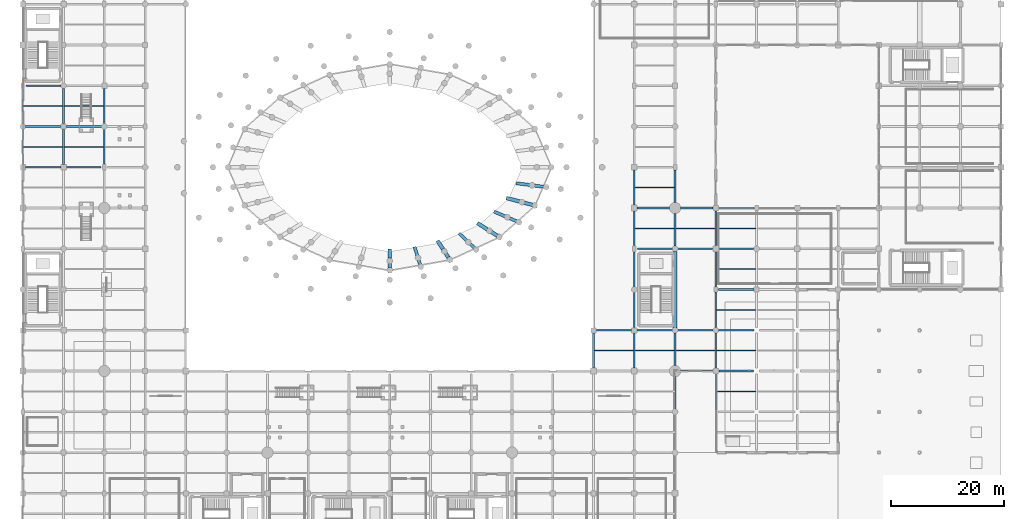
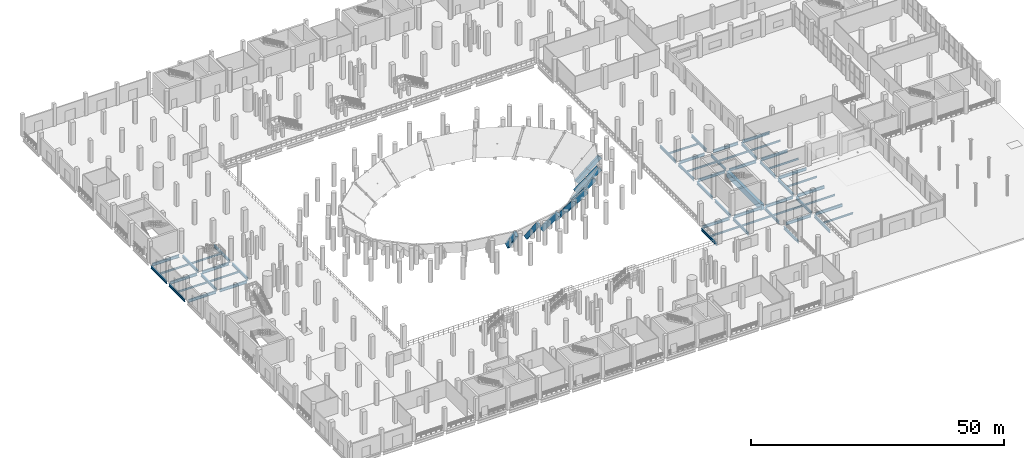
# One storey, part 9 of 58: 71 beams.
"""IFC4 building model written with IfcOpenShell, lengths in metres."""

import ifcopenshell
import ifcopenshell.guid

model = None  # the IFC model being written
_history = None  # IfcOwnerHistory: only IFC2X3 demands one
_inside = {}  # id of a spatial element -> (the spatial element, [elements in it])
_under = {}  # id of a project, library or spatial element -> (it, [spatial elements below it])
_declared = {}  # id of a project -> (the project, [libraries it declares])
_typed = {}  # id of a type object -> (the type object, [elements of that type])
_made_of = {}  # id of a material, layer set ... -> (it, [elements and type objects made of it])


def new_model(schema):
    """Start an empty IFC model of exactly this schema.

    Asked for "IFC4X3", IfcOpenShell would pick the latest addendum, in which some entities
    have other attributes; the version numbers below select the first issue.
    IFC2X3 requires an IfcOwnerHistory on every rooted entity: one is made here for all.
    """
    global model, _history
    if schema == "IFC4X3":
        model = ifcopenshell.file(schema_version=(4, 3, 0, 0))
    else:
        model = ifcopenshell.file(schema=schema)
    _inside.clear()
    _under.clear()
    _declared.clear()
    _typed.clear()
    _made_of.clear()
    _history = None
    if model.schema == "IFC2X3":
        org = make("IfcOrganization", Name="unknown")
        user = make(
            "IfcPersonAndOrganization",
            ThePerson=make("IfcPerson", FamilyName="unknown"),
            TheOrganization=org,
        )
        app = make(
            "IfcApplication",
            ApplicationDeveloper=org,
            Version="unknown",
            ApplicationFullName="unknown",
            ApplicationIdentifier="unknown",
        )
        _history = make(
            "IfcOwnerHistory",
            OwningUser=user,
            OwningApplication=app,
            ChangeAction="ADDED",
            CreationDate=0,
        )
    return model


def make(cls, **values):
    """One entity of the class cls with the attributes given. An attribute that is None is left unset."""
    return model.create_entity(
        cls, **{name: value for name, value in values.items() if value is not None}
    )


def rooted(cls, **values):
    """An entity with a GlobalId (a new one), such as an element, a storey or a relation."""
    return make(cls, GlobalId=ifcopenshell.guid.new(), OwnerHistory=_history, **values)


def si_unit(unit_type, name, prefix=None):
    """IfcSIUnit, for example si_unit("LENGTHUNIT", "METRE", prefix="MILLI")."""
    return make("IfcSIUnit", UnitType=unit_type, Prefix=prefix, Name=name)


def assignment(units):
    """IfcUnitAssignment: the units of a project."""
    return None if units is None else make("IfcUnitAssignment", Units=units)


def point(xyz):
    """IfcCartesianPoint."""
    return None if xyz is None else make("IfcCartesianPoint", Coordinates=xyz)


def direction(xyz):
    """IfcDirection."""
    return None if xyz is None else make("IfcDirection", DirectionRatios=xyz)


def frame(location, z_axis=None, x_axis=None):
    """IfcAxis2Placement3D, a coordinate frame: its origin and axes. An axis left out is left unset."""
    return make(
        "IfcAxis2Placement3D",
        Location=point(location),
        Axis=direction(z_axis),
        RefDirection=direction(x_axis),
    )


def frame_2d(location, x_axis=None):
    """IfcAxis2Placement2D, a coordinate frame in the plane: its origin and x axis."""
    return make(
        "IfcAxis2Placement2D", Location=point(location), RefDirection=direction(x_axis)
    )


def origin():
    """The frame at (0, 0, 0) with its axes left unset."""
    return frame((0.0, 0.0, 0.0))


def origin_2d():
    """The frame at (0, 0) in the plane with its x axis left unset."""
    return frame_2d((0.0, 0.0))


def place(relative_to, where):
    """IfcLocalPlacement: puts the frame where relative to a parent placement (None: the world)."""
    return make(
        "IfcLocalPlacement", PlacementRelTo=relative_to, RelativePlacement=where
    )


def context(
    kind, dimensions, precision=None, world=None, true_north=None, identifier=None
):
    """IfcGeometricRepresentationContext, for example the 3D "Model" context."""
    return make(
        "IfcGeometricRepresentationContext",
        ContextIdentifier=identifier,
        ContextType=kind,
        CoordinateSpaceDimension=dimensions,
        Precision=precision,
        WorldCoordinateSystem=world,
        TrueNorth=true_north,
    )


def subcontext(parent, identifier, kind, view, scale=None):
    """IfcGeometricRepresentationSubContext, for example "Body" below "Model"."""
    return make(
        "IfcGeometricRepresentationSubContext",
        ContextIdentifier=identifier,
        ContextType=kind,
        ParentContext=parent,
        TargetScale=scale,
        TargetView=view,
    )


def project(units=None, contexts=None):
    """IfcProject with its units and contexts."""
    return rooted(
        "IfcProject",
        Name="project",
        RepresentationContexts=contexts,
        UnitsInContext=assignment(units),
    )


def spatial(cls, under=None, at=None, **own):
    """A site, building, storey or space (cls), placed at a placement, below another one or the project."""
    s = rooted(cls, ObjectPlacement=at, **own)
    if under is not None:
        _under.setdefault(under.id(), (under, []))[1].append(s)
    return s


def profile(cls, at=None, kind="AREA", **sizes):
    """A parametric profile (cls). Its sizes go by their IFC names, for example OverallWidth=200.0."""
    return make(cls, ProfileType=kind, Position=at, **sizes)


def rectangle(**sizes):
    """IfcRectangleProfileDef."""
    return profile("IfcRectangleProfileDef", **sizes)


def i_section(**sizes):
    """IfcIShapeProfileDef."""
    return profile("IfcIShapeProfileDef", **sizes)


def extrude(swept, where, along, depth):
    """IfcExtrudedAreaSolid: the profile swept, set in the frame where, extruded along a direction by depth."""
    return make(
        "IfcExtrudedAreaSolid",
        SweptArea=swept,
        Position=where,
        ExtrudedDirection=direction(along),
        Depth=depth,
    )


def shape(context_of_items, identifier, shape_type, items):
    """IfcShapeRepresentation: the items that make up one representation, for example the "Body"."""
    return make(
        "IfcShapeRepresentation",
        ContextOfItems=context_of_items,
        RepresentationIdentifier=identifier,
        RepresentationType=shape_type,
        Items=items,
    )


def material(Name=None, Category=None):
    """IfcMaterial."""
    return make("IfcMaterial", Name=Name, Category=Category)


def material_profile(
    of_material, cross_section, Name=None, Category=None, Priority=None
):
    """IfcMaterialProfile: a cross section and its material."""
    return make(
        "IfcMaterialProfile",
        Name=Name,
        Material=of_material,
        Profile=cross_section,
        Priority=Priority,
        Category=Category,
    )


def profile_set(profiles, Name=None, composite=None):
    """IfcMaterialProfileSet."""
    return make(
        "IfcMaterialProfileSet",
        Name=Name,
        MaterialProfiles=profiles,
        CompositeProfile=composite,
    )


def made_of(thing, what):
    """Note that an element or type object is made of a material, layer set ...; save() writes the relation."""
    if what is not None:
        _made_of.setdefault(what.id(), (what, []))[1].append(thing)
    return thing


def type_object(cls, material=None, **own):
    """A type object (cls), such as IfcWallType, which elements share."""
    return made_of(rooted(cls, **own), material)


def element(
    cls,
    number,
    at=None,
    inside=None,
    cuts=None,
    type_object=None,
    material=None,
    context=None,
    identifier="Body",
    shape_type=None,
    held_by="IfcProductDefinitionShape",
    body=None,
    shapes=None,
    **own,
):
    """One element of the class cls, such as IfcWall. Its Tag is "e" and its number.

    at: its placement. inside: the storey or other place that contains it. cuts: it is an
    opening in that element (IfcRelVoidsElement). A single representation is given by context,
    identifier, shape_type and body (its items); several are given by shapes. held_by: the class
    of the entity that holds the representations. save() writes the other relations.
    """
    e = rooted(cls, Tag="e%d" % number, ObjectPlacement=at, **own)
    if body is not None:
        shapes = [shape(context, identifier, shape_type, body)]
    if shapes is not None:
        e.Representation = make(held_by, Representations=shapes)
    if inside is not None:
        _inside.setdefault(inside.id(), (inside, []))[1].append(e)
    if cuts is not None:
        rooted(
            "IfcRelVoidsElement", RelatingBuildingElement=cuts, RelatedOpeningElement=e
        )
    if type_object is not None:
        _typed.setdefault(type_object.id(), (type_object, []))[1].append(e)
    return made_of(e, material)


def aggregate(whole, parts):
    """IfcRelAggregates: a whole, such as a stair, and the parts it consists of."""
    return rooted("IfcRelAggregates", RelatingObject=whole, RelatedObjects=parts)


def save(model, path):
    """Write the relations noted so far, then the file.

    IfcRelAggregates (storeys below a building ...), IfcRelContainedInSpatialStructure (elements
    in a storey), IfcRelDefinesByType, IfcRelAssociatesMaterial and IfcRelDeclares: one each for
    every whole, place, type object, material and project.
    """
    for whole, parts in _under.values():
        aggregate(whole, parts)
    for where, things in _inside.values():
        rooted(
            "IfcRelContainedInSpatialStructure",
            RelatedElements=things,
            RelatingStructure=where,
        )
    for kind, things in _typed.values():
        rooted("IfcRelDefinesByType", RelatedObjects=things, RelatingType=kind)
    for what, things in _made_of.values():
        rooted("IfcRelAssociatesMaterial", RelatedObjects=things, RelatingMaterial=what)
    for by, libraries in _declared.values():
        rooted("IfcRelDeclares", RelatingContext=by, RelatedDefinitions=libraries)
    model.write(path)


model = new_model("IFC4")

# Units and contexts
model_context = context("Model", 3, precision=1e-05, world=origin(), true_north=direction((0.0, 1.0)))
body_context = subcontext(model_context, "Body", "Model", "MODEL_VIEW")
ifc_project = project(units=[si_unit("LENGTHUNIT", "METRE"), si_unit("AREAUNIT", "SQUARE_METRE"), si_unit("VOLUMEUNIT", "CUBIC_METRE"), si_unit("PLANEANGLEUNIT", "RADIAN"), si_unit("MASSUNIT", "GRAM", prefix="KILO")], contexts=[model_context])

# Site, building, storey
site_placement = place(None, origin())
site = spatial("IfcSite", under=ifc_project, at=site_placement, CompositionType="ELEMENT")
building_placement = place(site_placement, origin())
building = spatial("IfcBuilding", under=site, at=building_placement, Name="Qandorah Velis Arena", CompositionType="ELEMENT")
storey_placement = place(building_placement, origin())
storey = spatial("IfcBuildingStorey", under=building, at=storey_placement, Name="L00", CompositionType="ELEMENT", Elevation=0.0)

# Beams
ifc_material_1 = material(Name="Steel S355", Category="steel")
ifc_material_profile_1 = material_profile(ifc_material_1, i_section(OverallWidth=0.300048828125, OverallDepth=0.64990234375, WebThickness=0.01611328125, FlangeThickness=0.031005859375, FilletRadius=0.027099609375, at=origin_2d()), Name="HEB 650")
ifc_profile_set_1 = profile_set([ifc_material_profile_1], Name="Steel S355")
beam_type_1 = type_object("IfcBeamType", Name="STR-BM-HEB650", PredefinedType="BEAM", material=ifc_profile_set_1)
beam_1_placement = place(storey_placement, frame((0.0, 65.300048828125, -0.7451171875), z_axis=(0.0, 1.0, 0.0), x_axis=(-1.0, 0.0, 0.0)))
element("IfcBeam", 1, at=beam_1_placement, inside=storey, type_object=beam_type_1, Name="Primary floor girder L00 Y-277", PredefinedType="BEAM", context=body_context, shape_type="SweptSolid", body=[
    extrude(i_section(OverallWidth=0.300048828125, OverallDepth=0.64990234375, WebThickness=0.01611328125, FlangeThickness=0.031005859375, FilletRadius=0.027099609375, at=origin_2d()), origin(), (0.0, 0.0, 1.0), 6.25),
])
for number, where, z_axis, x_axis, name in (
    (2, (0.0, 72.449951171875, -0.7451171875), (0.0, 1.0, 0.0), (-1.0, 0.0, 0.0), "Primary floor girder L00 Y-278"),
    (3, (7.199951171875, 65.25, -0.7451171875), (0.0, 1.0, 0.0), (-1.0, 0.0, 0.0), "Primary floor girder L00 Y-295"),
):
    element("IfcBeam", number, at=place(storey_placement, frame(where, z_axis=z_axis, x_axis=x_axis)), inside=storey, type_object=beam_type_1, Name=name, PredefinedType="BEAM", context=body_context, shape_type="SweptSolid", body=[
        extrude(i_section(OverallWidth=0.300048828125, OverallDepth=0.64990234375, WebThickness=0.01611328125, FlangeThickness=0.031005859375, FilletRadius=0.027099609375, at=origin_2d()), origin(), (0.0, 0.0, 1.0), 6.199951171875),
    ])
beam_2_placement = place(storey_placement, frame((7.199951171875, 72.550048828125, -0.7451171875), z_axis=(0.0, 1.0, 0.0), x_axis=(-1.0, 0.0, 0.0)))
element("IfcBeam", 4, at=beam_2_placement, inside=storey, type_object=beam_type_1, Name="Primary floor girder L00 Y-296", PredefinedType="BEAM", context=body_context, shape_type="SweptSolid", body=[
    extrude(i_section(OverallWidth=0.300048828125, OverallDepth=0.64990234375, WebThickness=0.01611328125, FlangeThickness=0.031005859375, FilletRadius=0.027099609375, at=origin_2d()), origin(), (0.0, 0.0, 1.0), 6.14990234375),
])
beam_3_placement = place(storey_placement, frame((14.39990234375, 65.35009765625, -0.7451171875), z_axis=(0.0, 1.0, 0.0), x_axis=(-1.0, 0.0, 0.0)))
element("IfcBeam", 5, at=beam_3_placement, inside=storey, type_object=beam_type_1, Name="Primary floor girder L00 Y-313", PredefinedType="BEAM", context=body_context, shape_type="SweptSolid", body=[
    extrude(i_section(OverallWidth=0.300048828125, OverallDepth=0.64990234375, WebThickness=0.01611328125, FlangeThickness=0.031005859375, FilletRadius=0.027099609375, at=origin_2d()), origin(), (0.0, 0.0, 1.0), 6.199951171875),
])
beam_4_placement = place(storey_placement, frame((14.39990234375, 72.449951171875, -0.7451171875), z_axis=(0.0, 1.0, 0.0), x_axis=(-1.0, 0.0, 0.0)))
element("IfcBeam", 6, at=beam_4_placement, inside=storey, type_object=beam_type_1, Name="Primary floor girder L00 Y-314", PredefinedType="BEAM", context=body_context, shape_type="SweptSolid", body=[
    extrude(i_section(OverallWidth=0.300048828125, OverallDepth=0.64990234375, WebThickness=0.01611328125, FlangeThickness=0.031005859375, FilletRadius=0.027099609375, at=origin_2d()), origin(), (0.0, 0.0, 1.0), 6.300048828125),
])
for number, where, z_axis, x_axis, name in (
    (7, (100.800048828125, 29.35009765625, -0.7451171875), (0.0, 1.0, 0.0), (-1.0, 0.0, 0.0), "Primary floor girder L00 Y-420"),
    (8, (108.0, 29.35009765625, -0.7451171875), (0.0, 1.0, 0.0), (-1.0, 0.0, 0.0), "Primary floor girder L00 Y-429"),
):
    element("IfcBeam", number, at=place(storey_placement, frame(where, z_axis=z_axis, x_axis=x_axis)), inside=storey, type_object=beam_type_1, Name=name, PredefinedType="BEAM", context=body_context, shape_type="SweptSolid", body=[
        extrude(i_section(OverallWidth=0.300048828125, OverallDepth=0.64990234375, WebThickness=0.01611328125, FlangeThickness=0.031005859375, FilletRadius=0.027099609375, at=origin_2d()), origin(), (0.0, 0.0, 1.0), 6.14990234375),
    ])
beam_5_placement = place(storey_placement, frame((108.0, 36.5, -0.7451171875), z_axis=(0.0, 1.0, 0.0), x_axis=(-1.0, 0.0, 0.0)))
element("IfcBeam", 9, at=beam_5_placement, inside=storey, type_object=beam_type_1, Name="Primary floor girder L00 Y-430", PredefinedType="BEAM", context=body_context, shape_type="SweptSolid", body=[
    extrude(i_section(OverallWidth=0.300048828125, OverallDepth=0.64990234375, WebThickness=0.01611328125, FlangeThickness=0.031005859375, FilletRadius=0.027099609375, at=origin_2d()), origin(), (0.0, 0.0, 1.0), 6.25),
])
beam_6_placement = place(storey_placement, frame((108.0, 43.64990234375, -0.7451171875), z_axis=(0.0, 1.0, 0.0), x_axis=(-1.0, 0.0, 0.0)))
element("IfcBeam", 10, at=beam_6_placement, inside=storey, type_object=beam_type_1, Name="Primary floor girder L00 Y-431", PredefinedType="BEAM", context=body_context, shape_type="SweptSolid", body=[
    extrude(i_section(OverallWidth=0.300048828125, OverallDepth=0.64990234375, WebThickness=0.01611328125, FlangeThickness=0.031005859375, FilletRadius=0.027099609375, at=origin_2d()), origin(), (0.0, 0.0, 1.0), 6.2001953125),
])
beam_7_placement = place(storey_placement, frame((108.0, 50.949951171875, -0.7451171875), z_axis=(0.0, 1.0, 0.0), x_axis=(-1.0, 0.0, 0.0)))
element("IfcBeam", 11, at=beam_7_placement, inside=storey, type_object=beam_type_1, Name="Primary floor girder L00 Y-432", PredefinedType="BEAM", context=body_context, shape_type="SweptSolid", body=[
    extrude(i_section(OverallWidth=0.300048828125, OverallDepth=0.64990234375, WebThickness=0.01611328125, FlangeThickness=0.031005859375, FilletRadius=0.027099609375, at=origin_2d()), origin(), (0.0, 0.0, 1.0), 6.150146484375),
])
beam_8_placement = place(storey_placement, frame((108.0, 58.10009765625, -0.7451171875), z_axis=(0.0, 1.0, 0.0), x_axis=(-1.0, 0.0, 0.0)))
element("IfcBeam", 12, at=beam_8_placement, inside=storey, type_object=beam_type_1, Name="Primary floor girder L00 Y-433", PredefinedType="BEAM", context=body_context, shape_type="SweptSolid", body=[
    extrude(i_section(OverallWidth=0.300048828125, OverallDepth=0.64990234375, WebThickness=0.01611328125, FlangeThickness=0.031005859375, FilletRadius=0.027099609375, at=origin_2d()), origin(), (0.0, 0.0, 1.0), 6.25),
])
for number, where, z_axis, x_axis, name in (
    (13, (115.199951171875, 22.050048828125, -0.7451171875), (0.0, 1.0, 0.0), (-1.0, 0.0, 0.0), "Primary floor girder L00 Y-446"),
    (14, (115.199951171875, 29.75, -0.7451171875), (0.0, 1.0, 0.0), (-1.0, 0.0, 0.0), "Primary floor girder L00 Y-447"),
):
    element("IfcBeam", number, at=place(storey_placement, frame(where, z_axis=z_axis, x_axis=x_axis)), inside=storey, type_object=beam_type_1, Name=name, PredefinedType="BEAM", context=body_context, shape_type="SweptSolid", body=[
        extrude(i_section(OverallWidth=0.300048828125, OverallDepth=0.64990234375, WebThickness=0.01611328125, FlangeThickness=0.031005859375, FilletRadius=0.027099609375, at=origin_2d()), origin(), (0.0, 0.0, 1.0), 5.800048828125),
    ])
beam_9_placement = place(storey_placement, frame((115.199951171875, 50.85009765625, -0.7451171875), z_axis=(0.0, 1.0, 0.0), x_axis=(-1.0, 0.0, 0.0)))
element("IfcBeam", 15, at=beam_9_placement, inside=storey, type_object=beam_type_1, Name="Primary floor girder L00 Y-449", PredefinedType="BEAM", context=body_context, shape_type="SweptSolid", body=[
    extrude(i_section(OverallWidth=0.300048828125, OverallDepth=0.64990234375, WebThickness=0.01611328125, FlangeThickness=0.031005859375, FilletRadius=0.027099609375, at=origin_2d()), origin(), (0.0, 0.0, 1.0), 5.7998046875),
])
beam_10_placement = place(storey_placement, frame((115.199951171875, 58.550048828125, -0.7451171875), z_axis=(0.0, 1.0, 0.0), x_axis=(-1.0, 0.0, 0.0)))
element("IfcBeam", 16, at=beam_10_placement, inside=storey, type_object=beam_type_1, Name="Primary floor girder L00 Y-450", PredefinedType="BEAM", context=body_context, shape_type="SweptSolid", body=[
    extrude(i_section(OverallWidth=0.300048828125, OverallDepth=0.64990234375, WebThickness=0.01611328125, FlangeThickness=0.031005859375, FilletRadius=0.027099609375, at=origin_2d()), origin(), (0.0, 0.0, 1.0), 5.800048828125),
])
beam_11_placement = place(storey_placement, frame((122.39990234375, 22.050048828125, -0.7451171875), z_axis=(0.0, 1.0, 0.0), x_axis=(-1.0, 0.0, 0.0)))
element("IfcBeam", 17, at=beam_11_placement, inside=storey, type_object=beam_type_1, Name="Primary floor girder L00 Y-461", PredefinedType="BEAM", context=body_context, shape_type="SweptSolid", body=[
    extrude(i_section(OverallWidth=0.300048828125, OverallDepth=0.64990234375, WebThickness=0.01611328125, FlangeThickness=0.031005859375, FilletRadius=0.027099609375, at=origin_2d()), origin(), (0.0, 0.0, 1.0), 6.199951171875),
])
beam_12_placement = place(storey_placement, frame((122.39990234375, 29.35009765625, -0.7451171875), z_axis=(0.0, 1.0, 0.0), x_axis=(-1.0, 0.0, 0.0)))
element("IfcBeam", 18, at=beam_12_placement, inside=storey, type_object=beam_type_1, Name="Primary floor girder L00 Y-462", PredefinedType="BEAM", context=body_context, shape_type="SweptSolid", body=[
    extrude(i_section(OverallWidth=0.300048828125, OverallDepth=0.64990234375, WebThickness=0.01611328125, FlangeThickness=0.031005859375, FilletRadius=0.027099609375, at=origin_2d()), origin(), (0.0, 0.0, 1.0), 6.14990234375),
])
beam_13_placement = place(storey_placement, frame((122.39990234375, 36.5, -0.7451171875), z_axis=(0.0, 1.0, 0.0), x_axis=(-1.0, 0.0, 0.0)))
element("IfcBeam", 19, at=beam_13_placement, inside=storey, type_object=beam_type_1, Name="Primary floor girder L00 Y-463", PredefinedType="BEAM", context=body_context, shape_type="SweptSolid", body=[
    extrude(i_section(OverallWidth=0.300048828125, OverallDepth=0.64990234375, WebThickness=0.01611328125, FlangeThickness=0.031005859375, FilletRadius=0.027099609375, at=origin_2d()), origin(), (0.0, 0.0, 1.0), 6.25),
])
beam_14_placement = place(storey_placement, frame((122.39990234375, 43.64990234375, -0.7451171875), z_axis=(0.0, 1.0, 0.0), x_axis=(-1.0, 0.0, 0.0)))
element("IfcBeam", 20, at=beam_14_placement, inside=storey, type_object=beam_type_1, Name="Primary floor girder L00 Y-464", PredefinedType="BEAM", context=body_context, shape_type="SweptSolid", body=[
    extrude(i_section(OverallWidth=0.300048828125, OverallDepth=0.64990234375, WebThickness=0.01611328125, FlangeThickness=0.031005859375, FilletRadius=0.027099609375, at=origin_2d()), origin(), (0.0, 0.0, 1.0), 6.2001953125),
])
beam_15_placement = place(storey_placement, frame((122.39990234375, 50.949951171875, -0.7451171875), z_axis=(0.0, 1.0, 0.0), x_axis=(-1.0, 0.0, 0.0)))
element("IfcBeam", 21, at=beam_15_placement, inside=storey, type_object=beam_type_1, Name="Primary floor girder L00 Y-465", PredefinedType="BEAM", context=body_context, shape_type="SweptSolid", body=[
    extrude(i_section(OverallWidth=0.300048828125, OverallDepth=0.64990234375, WebThickness=0.01611328125, FlangeThickness=0.031005859375, FilletRadius=0.027099609375, at=origin_2d()), origin(), (0.0, 0.0, 1.0), 6.150146484375),
])
ifc_material_profile_2 = material_profile(ifc_material_1, i_section(OverallWidth=0.300048828125, OverallDepth=0.699951171875, WebThickness=0.01708984375, FlangeThickness=0.031982421875, FilletRadius=0.027099609375, at=origin_2d()), Name="HEB 700")
ifc_profile_set_2 = profile_set([ifc_material_profile_2], Name="Steel S355")
beam_type_2 = type_object("IfcBeamType", Name="STR-BM-HEB700", PredefinedType="BEAM", material=ifc_profile_set_2)
beam_16_placement = place(storey_placement, frame((116.14990234375, 28.800048828125, -0.77001953125), z_axis=(1.0, 0.0, 0.0), x_axis=(0.0, 1.0, 0.0)))
element("IfcBeam", 22, at=beam_16_placement, inside=storey, type_object=beam_type_2, Name="Primary floor girder L00 X-087", PredefinedType="BEAM", context=body_context, shape_type="SweptSolid", body=[
    extrude(i_section(OverallWidth=0.300048828125, OverallDepth=0.699951171875, WebThickness=0.01708984375, FlangeThickness=0.031982421875, FilletRadius=0.027099609375, at=origin_2d()), origin(), (0.0, 0.0, 1.0), 5.7001953125),
])
beam_17_placement = place(storey_placement, frame((122.949951171875, 28.800048828125, -0.77001953125), z_axis=(1.0, 0.0, 0.0), x_axis=(0.0, 1.0, 0.0)))
element("IfcBeam", 23, at=beam_17_placement, inside=storey, type_object=beam_type_2, Name="Primary floor girder L00 X-088", PredefinedType="BEAM", context=body_context, shape_type="SweptSolid", body=[
    extrude(i_section(OverallWidth=0.300048828125, OverallDepth=0.699951171875, WebThickness=0.01708984375, FlangeThickness=0.031982421875, FilletRadius=0.027099609375, at=origin_2d()), origin(), (0.0, 0.0, 1.0), 6.10009765625),
])
beam_18_placement = place(storey_placement, frame((101.300048828125, 36.0, -0.77001953125), z_axis=(1.0, 0.0, 0.0), x_axis=(0.0, 1.0, 0.0)))
element("IfcBeam", 24, at=beam_18_placement, inside=storey, type_object=beam_type_2, Name="Primary floor girder L00 X-095", PredefinedType="BEAM", context=body_context, shape_type="SweptSolid", body=[
    extrude(i_section(OverallWidth=0.300048828125, OverallDepth=0.699951171875, WebThickness=0.01708984375, FlangeThickness=0.031982421875, FilletRadius=0.027099609375, at=origin_2d()), origin(), (0.0, 0.0, 1.0), 6.199951171875),
])
for number, where, z_axis, x_axis, name in (
    (25, (108.5, 36.0, -0.77001953125), (1.0, 0.0, 0.0), (0.0, 1.0, 0.0), "Primary floor girder L00 X-096"),
    (26, (115.64990234375, 36.0, -0.77001953125), (1.0, 0.0, 0.0), (0.0, 1.0, 0.0), "Primary floor girder L00 X-097"),
):
    element("IfcBeam", number, at=place(storey_placement, frame(where, z_axis=z_axis, x_axis=x_axis)), inside=storey, type_object=beam_type_2, Name=name, PredefinedType="BEAM", context=body_context, shape_type="SweptSolid", body=[
        extrude(i_section(OverallWidth=0.300048828125, OverallDepth=0.699951171875, WebThickness=0.01708984375, FlangeThickness=0.031982421875, FilletRadius=0.027099609375, at=origin_2d()), origin(), (0.0, 0.0, 1.0), 6.25),
    ])
beam_19_placement = place(storey_placement, frame((122.89990234375, 36.0, -0.77001953125), z_axis=(1.0, 0.0, 0.0), x_axis=(0.0, 1.0, 0.0)))
element("IfcBeam", 27, at=beam_19_placement, inside=storey, type_object=beam_type_2, Name="Primary floor girder L00 X-098", PredefinedType="BEAM", context=body_context, shape_type="SweptSolid", body=[
    extrude(i_section(OverallWidth=0.300048828125, OverallDepth=0.699951171875, WebThickness=0.01708984375, FlangeThickness=0.031982421875, FilletRadius=0.027099609375, at=origin_2d()), origin(), (0.0, 0.0, 1.0), 6.2001953125),
])
beam_20_placement = place(storey_placement, frame((122.85009765625, 43.199951171875, -0.77001953125), z_axis=(1.0, 0.0, 0.0), x_axis=(0.0, 1.0, 0.0)))
element("IfcBeam", 28, at=beam_20_placement, inside=storey, type_object=beam_type_2, Name="Primary floor girder L00 X-103", PredefinedType="BEAM", context=body_context, shape_type="SweptSolid", body=[
    extrude(i_section(OverallWidth=0.300048828125, OverallDepth=0.699951171875, WebThickness=0.01708984375, FlangeThickness=0.031982421875, FilletRadius=0.027099609375, at=origin_2d()), origin(), (0.0, 0.0, 1.0), 6.2998046875),
])
beam_21_placement = place(storey_placement, frame((108.550048828125, 50.39990234375, -0.77001953125), z_axis=(1.0, 0.0, 0.0), x_axis=(0.0, 1.0, 0.0)))
element("IfcBeam", 29, at=beam_21_placement, inside=storey, type_object=beam_type_2, Name="Primary floor girder L00 X-113", PredefinedType="BEAM", context=body_context, shape_type="SweptSolid", body=[
    extrude(i_section(OverallWidth=0.300048828125, OverallDepth=0.699951171875, WebThickness=0.01708984375, FlangeThickness=0.031982421875, FilletRadius=0.027099609375, at=origin_2d()), origin(), (0.0, 0.0, 1.0), 6.199951171875),
])
beam_22_placement = place(storey_placement, frame((115.64990234375, 50.39990234375, -0.77001953125), z_axis=(1.0, 0.0, 0.0), x_axis=(0.0, 1.0, 0.0)))
element("IfcBeam", 30, at=beam_22_placement, inside=storey, type_object=beam_type_2, Name="Primary floor girder L00 X-114", PredefinedType="BEAM", context=body_context, shape_type="SweptSolid", body=[
    extrude(i_section(OverallWidth=0.300048828125, OverallDepth=0.699951171875, WebThickness=0.01708984375, FlangeThickness=0.031982421875, FilletRadius=0.027099609375, at=origin_2d()), origin(), (0.0, 0.0, 1.0), 6.2001953125),
])
beam_23_placement = place(storey_placement, frame((122.949951171875, 50.39990234375, -0.77001953125), z_axis=(1.0, 0.0, 0.0), x_axis=(0.0, 1.0, 0.0)))
element("IfcBeam", 31, at=beam_23_placement, inside=storey, type_object=beam_type_2, Name="Primary floor girder L00 X-115", PredefinedType="BEAM", context=body_context, shape_type="SweptSolid", body=[
    extrude(i_section(OverallWidth=0.300048828125, OverallDepth=0.699951171875, WebThickness=0.01708984375, FlangeThickness=0.031982421875, FilletRadius=0.027099609375, at=origin_2d()), origin(), (0.0, 0.0, 1.0), 6.10009765625),
])
for number, where, z_axis, x_axis, name in (
    (32, (108.5, 57.60009765625, -0.77001953125), (1.0, 0.0, 0.0), (0.0, 1.0, 0.0), "Primary floor girder L00 X-122"),
    (33, (116.14990234375, 57.60009765625, -0.77001953125), (1.0, 0.0, 0.0), (0.0, 1.0, 0.0), "Primary floor girder L00 X-123"),
):
    element("IfcBeam", number, at=place(storey_placement, frame(where, z_axis=z_axis, x_axis=x_axis)), inside=storey, type_object=beam_type_2, Name=name, PredefinedType="BEAM", context=body_context, shape_type="SweptSolid", body=[
        extrude(i_section(OverallWidth=0.300048828125, OverallDepth=0.699951171875, WebThickness=0.01708984375, FlangeThickness=0.031982421875, FilletRadius=0.027099609375, at=origin_2d()), origin(), (0.0, 0.0, 1.0), 5.75),
    ])
beam_24_placement = place(storey_placement, frame((122.89990234375, 57.60009765625, -0.77001953125), z_axis=(1.0, 0.0, 0.0), x_axis=(0.0, 1.0, 0.0)))
element("IfcBeam", 34, at=beam_24_placement, inside=storey, type_object=beam_type_2, Name="Primary floor girder L00 X-124", PredefinedType="BEAM", context=body_context, shape_type="SweptSolid", body=[
    extrude(i_section(OverallWidth=0.300048828125, OverallDepth=0.699951171875, WebThickness=0.01708984375, FlangeThickness=0.031982421875, FilletRadius=0.027099609375, at=origin_2d()), origin(), (0.0, 0.0, 1.0), 6.2001953125),
])
beam_25_placement = place(storey_placement, frame((0.5, 64.800048828125, -0.77001953125), z_axis=(1.0, 0.0, 0.0), x_axis=(0.0, 1.0, 0.0)))
element("IfcBeam", 35, at=beam_25_placement, inside=storey, type_object=beam_type_2, Name="Primary floor girder L00 X-131", PredefinedType="BEAM", context=body_context, shape_type="SweptSolid", body=[
    extrude(i_section(OverallWidth=0.300048828125, OverallDepth=0.699951171875, WebThickness=0.01708984375, FlangeThickness=0.031982421875, FilletRadius=0.027099609375, at=origin_2d()), origin(), (0.0, 0.0, 1.0), 6.25),
])
beam_26_placement = place(storey_placement, frame((7.64990234375, 64.800048828125, -0.77001953125), z_axis=(1.0, 0.0, 0.0), x_axis=(0.0, 1.0, 0.0)))
element("IfcBeam", 36, at=beam_26_placement, inside=storey, type_object=beam_type_2, Name="Primary floor girder L00 X-132", PredefinedType="BEAM", context=body_context, shape_type="SweptSolid", body=[
    extrude(i_section(OverallWidth=0.300048828125, OverallDepth=0.699951171875, WebThickness=0.01708984375, FlangeThickness=0.031982421875, FilletRadius=0.027099609375, at=origin_2d()), origin(), (0.0, 0.0, 1.0), 6.2001953125),
])
for number, where, z_axis, x_axis, name in (
    (37, (0.449951171875, 72.0, -0.77001953125), (1.0, 0.0, 0.0), (0.0, 1.0, 0.0), "Primary floor girder L00 X-138"),
    (38, (7.75, 72.0, -0.77001953125), (1.0, 0.0, 0.0), (0.0, 1.0, 0.0), "Primary floor girder L00 X-139"),
):
    element("IfcBeam", number, at=place(storey_placement, frame(where, z_axis=z_axis, x_axis=x_axis)), inside=storey, type_object=beam_type_2, Name=name, PredefinedType="BEAM", context=body_context, shape_type="SweptSolid", body=[
        extrude(i_section(OverallWidth=0.300048828125, OverallDepth=0.699951171875, WebThickness=0.01708984375, FlangeThickness=0.031982421875, FilletRadius=0.027099609375, at=origin_2d()), origin(), (0.0, 0.0, 1.0), 6.199951171875),
    ])
beam_27_placement = place(storey_placement, frame((0.550048828125, 79.199951171875, -0.77001953125), z_axis=(1.0, 0.0, 0.0), x_axis=(0.0, 1.0, 0.0)))
element("IfcBeam", 39, at=beam_27_placement, inside=storey, type_object=beam_type_2, Name="Primary floor girder L00 X-145", PredefinedType="BEAM", context=body_context, shape_type="SweptSolid", body=[
    extrude(i_section(OverallWidth=0.300048828125, OverallDepth=0.699951171875, WebThickness=0.01708984375, FlangeThickness=0.031982421875, FilletRadius=0.027099609375, at=origin_2d()), origin(), (0.0, 0.0, 1.0), 6.14990234375),
])
ifc_material_profile_3 = material_profile(ifc_material_1, i_section(OverallWidth=0.18994140625, OverallDepth=0.449951171875, WebThickness=0.009521484375, FlangeThickness=0.0146484375, FilletRadius=0.02099609375, at=origin_2d()), Name="IPE 450")
ifc_profile_set_3 = profile_set([ifc_material_profile_3], Name="Steel S355")
beam_type_3 = type_object("IfcBeamType", Name="STR-JST-IPE450", PredefinedType="JOIST", material=ifc_profile_set_3)
for number, where, z_axis, x_axis, name in (
    (40, (0.135009765625, 68.39990234375, -0.64501953125), (1.0, 0.0, 0.0), (0.0, 1.0, 0.0), "Secondary floor joist L00-008"),
    (41, (0.135009765625, 75.60009765625, -0.64501953125), (1.0, 0.0, 0.0), (0.0, 1.0, 0.0), "Secondary floor joist L00-009"),
    (42, (7.3349609375, 68.39990234375, -0.64501953125), (1.0, 0.0, 0.0), (0.0, 1.0, 0.0), "Secondary floor joist L00-024"),
    (43, (7.3349609375, 75.60009765625, -0.64501953125), (1.0, 0.0, 0.0), (0.0, 1.0, 0.0), "Secondary floor joist L00-025"),
    (44, (100.93505859375, 32.39990234375, -0.64501953125), (1.0, 0.0, 0.0), (0.0, 1.0, 0.0), "Secondary floor joist L00-132"),
    (45, (108.135009765625, 32.39990234375, -0.64501953125), (1.0, 0.0, 0.0), (0.0, 1.0, 0.0), "Secondary floor joist L00-141"),
    (46, (108.135009765625, 54.0, -0.64501953125), (1.0, 0.0, 0.0), (0.0, 1.0, 0.0), "Secondary floor joist L00-142"),
    (47, (108.135009765625, 61.199951171875, -0.64501953125), (1.0, 0.0, 0.0), (0.0, 1.0, 0.0), "Secondary floor joist L00-143"),
    (48, (115.3349609375, 32.39990234375, -0.64501953125), (1.0, 0.0, 0.0), (0.0, 1.0, 0.0), "Secondary floor joist L00-153"),
    (49, (115.3349609375, 54.0, -0.64501953125), (1.0, 0.0, 0.0), (0.0, 1.0, 0.0), "Secondary floor joist L00-154"),
):
    element("IfcBeam", number, at=place(storey_placement, frame(where, z_axis=z_axis, x_axis=x_axis)), inside=storey, type_object=beam_type_3, Name=name, PredefinedType="JOIST", context=body_context, shape_type="SweptSolid", body=[
        extrude(i_section(OverallWidth=0.18994140625, OverallDepth=0.449951171875, WebThickness=0.009521484375, FlangeThickness=0.0146484375, FilletRadius=0.02099609375, at=origin_2d()), origin(), (0.0, 0.0, 1.0), 6.929931640625),
    ])
for number, where, z_axis, x_axis, name in (
    (50, (122.534912109375, 25.199951171875, -0.64501953125), (1.0, 0.0, 0.0), (0.0, 1.0, 0.0), "Secondary floor joist L00-158"),
    (51, (122.534912109375, 32.39990234375, -0.64501953125), (1.0, 0.0, 0.0), (0.0, 1.0, 0.0), "Secondary floor joist L00-159"),
    (52, (122.534912109375, 39.60009765625, -0.64501953125), (1.0, 0.0, 0.0), (0.0, 1.0, 0.0), "Secondary floor joist L00-160"),
    (53, (122.534912109375, 46.800048828125, -0.64501953125), (1.0, 0.0, 0.0), (0.0, 1.0, 0.0), "Secondary floor joist L00-161"),
    (54, (122.534912109375, 54.0, -0.64501953125), (1.0, 0.0, 0.0), (0.0, 1.0, 0.0), "Secondary floor joist L00-162"),
):
    element("IfcBeam", number, at=place(storey_placement, frame(where, z_axis=z_axis, x_axis=x_axis)), inside=storey, type_object=beam_type_3, Name=name, PredefinedType="JOIST", context=body_context, shape_type="SweptSolid", body=[
        extrude(i_section(OverallWidth=0.18994140625, OverallDepth=0.449951171875, WebThickness=0.009521484375, FlangeThickness=0.0146484375, FilletRadius=0.02099609375, at=origin_2d()), origin(), (0.0, 0.0, 1.0), 6.93017578125),
    ])
ifc_material_2 = material(Name="Concrete C40/50", Category="concrete")
ifc_material_profile_4 = material_profile(ifc_material_2, rectangle(XDim=0.550048828125, YDim=0.949951171875, at=origin_2d()), Name="RC RAKER 550x950")
ifc_profile_set_4 = profile_set([ifc_material_profile_4], Name="Concrete C40/50")
beam_type_4 = type_object("IfcBeamType", Name="STR-RAK-550X950", PredefinedType="USERDEFINED", material=ifc_profile_set_4)
beam_28_placement = place(storey_placement, frame((69.306396484375, 50.37451171875, -0.715087890625), z_axis=(0.169745578009, -0.543520323675, 0.822053584931), x_axis=(0.954532223567, 0.298107755975, 0.0)))
element("IfcBeam", 55, at=beam_28_placement, inside=storey, type_object=beam_type_4, Name="Lower bowl inner raker beam RB-LA13.2", ObjectType="RAKER BEAM", PredefinedType="USERDEFINED", context=body_context, shape_type="SweptSolid", body=[
    extrude(rectangle(XDim=0.550048828125, YDim=0.949951171875, at=origin_2d()), origin(), (0.0, 0.0, 1.0), 2.919677734375),
])
beam_29_placement = place(storey_placement, frame((69.802001953125, 48.78759765625, 1.68505859375), z_axis=(0.169838459429, -0.54354996863, 0.822014798712), x_axis=(0.954490429028, 0.298241547901, 0.0)))
element("IfcBeam", 56, at=beam_29_placement, inside=storey, type_object=beam_type_4, Name="Lower bowl outer raker beam RB-LB13.2", ObjectType="RAKER BEAM", PredefinedType="USERDEFINED", context=body_context, shape_type="SweptSolid", body=[
    extrude(rectangle(XDim=0.550048828125, YDim=0.949951171875, at=origin_2d()), origin(), (0.0, 0.0, 1.0), 2.91943359375),
])
for number, where, z_axis, x_axis, name in (
    (57, (77.306396484375, 52.8818359375, -0.715087890625), (0.449380494122, -0.428247249944, 0.784003484953), (0.689879693058, 0.723924035453, 0.0), "Lower bowl inner raker beam RB-LA14.2"),
    (58, (78.68212890625, 51.57080078125, 1.68505859375), (0.449408591846, -0.428274026302, 0.783972752058), (0.689879693058, 0.723924035453, 0.0), "Lower bowl outer raker beam RB-LB14.2"),
):
    element("IfcBeam", number, at=place(storey_placement, frame(where, z_axis=z_axis, x_axis=x_axis)), inside=storey, type_object=beam_type_4, Name=name, ObjectType="RAKER BEAM", PredefinedType="USERDEFINED", context=body_context, shape_type="SweptSolid", body=[
        extrude(rectangle(XDim=0.550048828125, YDim=0.949951171875, at=origin_2d()), origin(), (0.0, 0.0, 1.0), 3.061279296875),
    ])
beam_30_placement = place(storey_placement, frame((83.51708984375, 56.83642578125, -0.715087890625), z_axis=(0.627493181643, -0.266948723706, 0.731430574903), x_axis=(0.3914686813, 0.920191432019, 0.0)))
element("IfcBeam", 59, at=beam_30_placement, inside=storey, type_object=beam_type_4, Name="Lower bowl inner raker beam RB-LA15.2", ObjectType="RAKER BEAM", PredefinedType="USERDEFINED", context=body_context, shape_type="SweptSolid", body=[
    extrude(rectangle(XDim=0.550048828125, YDim=0.949951171875, at=origin_2d()), origin(), (0.0, 0.0, 1.0), 3.281494140625),
])
beam_31_placement = place(storey_placement, frame((85.576171875, 55.96044921875, 1.68505859375), z_axis=(0.627482222231, -0.26697571604, 0.731430125049), x_axis=(0.391507987355, 0.92017470941, 0.0)))
element("IfcBeam", 60, at=beam_31_placement, inside=storey, type_object=beam_type_4, Name="Lower bowl outer raker beam RB-LB15.2", ObjectType="RAKER BEAM", PredefinedType="USERDEFINED", context=body_context, shape_type="SweptSolid", body=[
    extrude(rectangle(XDim=0.550048828125, YDim=0.949951171875, at=origin_2d()), origin(), (0.0, 0.0, 1.0), 3.281005859375),
])
for number, where, z_axis, x_axis, name in (
    (61, (87.455078125, 61.9306640625, -0.715087890625), (0.717269074384, -0.090862046946, 0.69084670033), (0.125673426448, 0.9920716657, 0.0), "Lower bowl inner raker beam RB-LA16.2"),
    (62, (89.947021484375, 61.614990234375, 1.68505859375), (0.71733801119, -0.090861877789, 0.690775142045), (0.125661309593, 0.992073200561, 0.0), "Lower bowl outer raker beam RB-LB16.2"),
):
    element("IfcBeam", number, at=place(storey_placement, frame(where, z_axis=z_axis, x_axis=x_axis)), inside=storey, type_object=beam_type_4, Name=name, ObjectType="RAKER BEAM", PredefinedType="USERDEFINED", context=body_context, shape_type="SweptSolid", body=[
        extrude(rectangle(XDim=0.550048828125, YDim=0.949951171875, at=origin_2d()), origin(), (0.0, 0.0, 1.0), 3.47412109375),
    ])
ifc_material_profile_5 = material_profile(ifc_material_2, rectangle(XDim=0.64990234375, YDim=1.199951171875, at=origin_2d()), Name="RC RAKER 650x1200")
ifc_profile_set_5 = profile_set([ifc_material_profile_5], Name="Concrete C40/50")
beam_type_5 = type_object("IfcBeamType", Name="STR-RAK-650X1200", PredefinedType="USERDEFINED", material=ifc_profile_set_5)
beam_32_placement = place(storey_placement, frame((64.800048828125, 49.89990234375, -0.840087890625), z_axis=(0.0, -0.563912742761, 0.825834377192), x_axis=(1.0, 0.0, 0.0)))
element("IfcBeam", 63, at=beam_32_placement, inside=storey, type_object=beam_type_5, Name="Lower bowl inner raker beam RB-LA13.1", ObjectType="RAKER BEAM", PredefinedType="USERDEFINED", context=body_context, shape_type="SweptSolid", body=[
    extrude(rectangle(XDim=0.64990234375, YDim=1.199951171875, at=origin_2d()), origin(), (0.0, 0.0, 1.0), 2.90625),
])
beam_33_placement = place(storey_placement, frame((64.800048828125, 48.260986328125, 1.56005859375), z_axis=(0.0, -0.563951864958, 0.825807661632), x_axis=(1.0, 0.0, 0.0)))
element("IfcBeam", 64, at=beam_33_placement, inside=storey, type_object=beam_type_5, Name="Lower bowl outer raker beam RB-LB13.1", ObjectType="RAKER BEAM", PredefinedType="USERDEFINED", context=body_context, shape_type="SweptSolid", body=[
    extrude(rectangle(XDim=0.64990234375, YDim=1.199951171875, at=origin_2d()), origin(), (0.0, 0.0, 1.0), 2.906005859375),
])
for number, where, z_axis, x_axis, name in (
    (65, (73.50537109375, 51.417724609375, -0.840087890625), (0.321973892614, -0.494946608508, 0.807069183653), (0.838243436999, 0.545296195042, 0.0), "Lower bowl inner raker beam RB-LA14.1"),
    (66, (74.462890625, 49.94580078125, 1.56005859375), (0.321982140855, -0.495041384333, 0.80700776252), (0.838284771614, 0.545232649133, 0.0), "Lower bowl outer raker beam RB-LB14.1"),
):
    element("IfcBeam", number, at=place(storey_placement, frame(where, z_axis=z_axis, x_axis=x_axis)), inside=storey, type_object=beam_type_5, Name=name, ObjectType="RAKER BEAM", PredefinedType="USERDEFINED", context=body_context, shape_type="SweptSolid", body=[
        extrude(rectangle(XDim=0.64990234375, YDim=1.199951171875, at=origin_2d()), origin(), (0.0, 0.0, 1.0), 2.973876953125),
    ])
beam_34_placement = place(storey_placement, frame((80.65966796875, 54.701416015625, -0.840087890625), z_axis=(0.550643924236, -0.350605913137, 0.757539941109), x_axis=(0.537089338572, 0.843525365589, 0.0)))
element("IfcBeam", 67, at=beam_34_placement, inside=storey, type_object=beam_type_5, Name="Lower bowl inner raker beam RB-LA15.1", ObjectType="RAKER BEAM", PredefinedType="USERDEFINED", context=body_context, shape_type="SweptSolid", body=[
    extrude(rectangle(XDim=0.64990234375, YDim=1.199951171875, at=origin_2d()), origin(), (0.0, 0.0, 1.0), 3.16845703125),
])
beam_35_placement = place(storey_placement, frame((82.404296875, 53.590576171875, 1.56005859375), z_axis=(0.55060749246, -0.350708845092, 0.757518775491), x_axis=(0.537226805727, 0.84343782178, 0.0)))
element("IfcBeam", 68, at=beam_35_placement, inside=storey, type_object=beam_type_5, Name="Lower bowl outer raker beam RB-LB15.1", ObjectType="RAKER BEAM", PredefinedType="USERDEFINED", context=body_context, shape_type="SweptSolid", body=[
    extrude(rectangle(XDim=0.64990234375, YDim=1.199951171875, at=origin_2d()), origin(), (0.0, 0.0, 1.0), 3.168212890625),
])
beam_36_placement = place(storey_placement, frame((85.81640625, 59.2568359375, -0.840087890625), z_axis=(0.682435954302, -0.179941138109, 0.708450672307), x_axis=(0.254960685927, 0.966951419996, 0.0)))
element("IfcBeam", 69, at=beam_36_placement, inside=storey, type_object=beam_type_5, Name="Lower bowl inner raker beam RB-LA16.1", ObjectType="RAKER BEAM", PredefinedType="USERDEFINED", context=body_context, shape_type="SweptSolid", body=[
    extrude(rectangle(XDim=0.64990234375, YDim=1.199951171875, at=origin_2d()), origin(), (0.0, 0.0, 1.0), 3.387939453125),
])
beam_37_placement = place(storey_placement, frame((88.12841796875, 58.647216796875, 1.56005859375), z_axis=(0.682423439844, -0.180028910416, 0.708440428099), x_axis=(0.255081334927, 0.966919599849, 0.0)))
element("IfcBeam", 70, at=beam_37_placement, inside=storey, type_object=beam_type_5, Name="Lower bowl outer raker beam RB-LB16.1", ObjectType="RAKER BEAM", PredefinedType="USERDEFINED", context=body_context, shape_type="SweptSolid", body=[
    extrude(rectangle(XDim=0.64990234375, YDim=1.199951171875, at=origin_2d()), origin(), (0.0, 0.0, 1.0), 3.3876953125),
])
ifc_material_profile_6 = material_profile(ifc_material_2, rectangle(XDim=0.75, YDim=1.39990234375, at=origin_2d()), Name="RC TG 750x1400")
ifc_profile_set_6 = profile_set([ifc_material_profile_6], Name="Concrete C40/50")
beam_type_6 = type_object("IfcBeamType", Name="STR-TG-750X1400", PredefinedType="BEAM", material=ifc_profile_set_6)
beam_38_placement = place(storey_placement, frame((115.199951171875, 36.449951171875, -1.1201171875), z_axis=(0.0, 1.0, 0.0), x_axis=(-1.0, 0.0, 0.0)))
element("IfcBeam", 71, at=beam_38_placement, inside=storey, type_object=beam_type_6, Name="Primary floor girder L00 Y-448", PredefinedType="BEAM", context=body_context, shape_type="SweptSolid", body=[
    extrude(rectangle(XDim=0.75, YDim=1.39990234375, at=origin_2d()), origin(), (0.0, 0.0, 1.0), 13.5),
])

save(model, "model.ifc")
